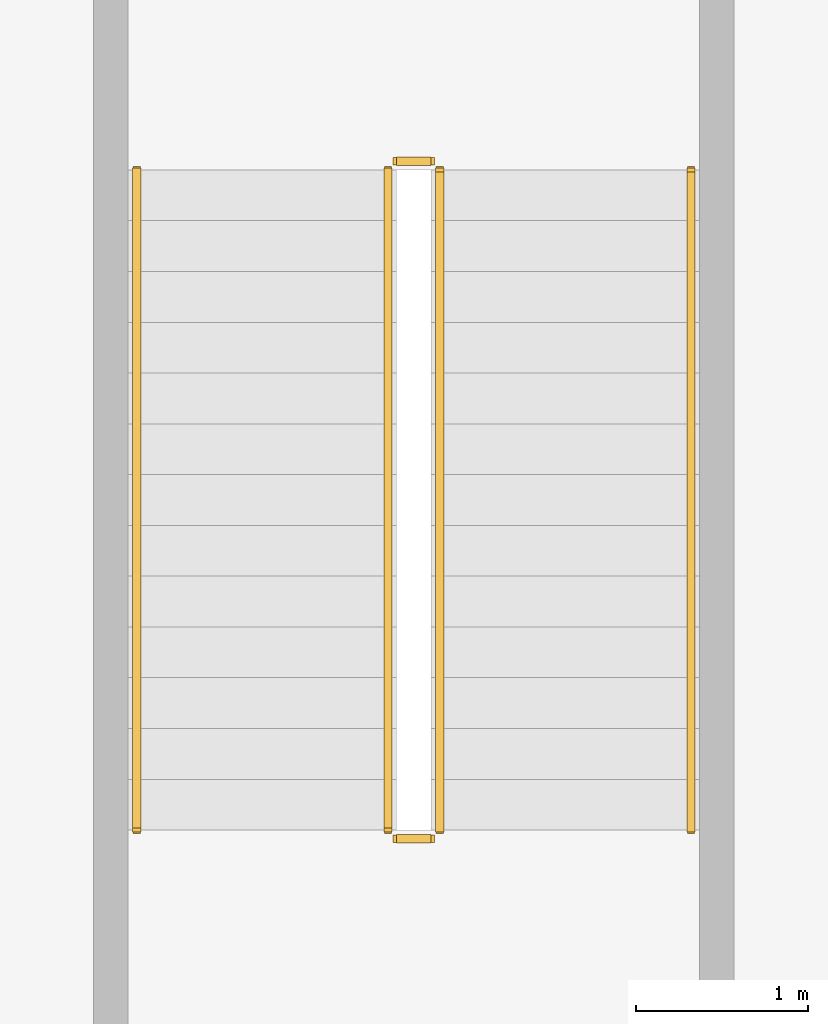
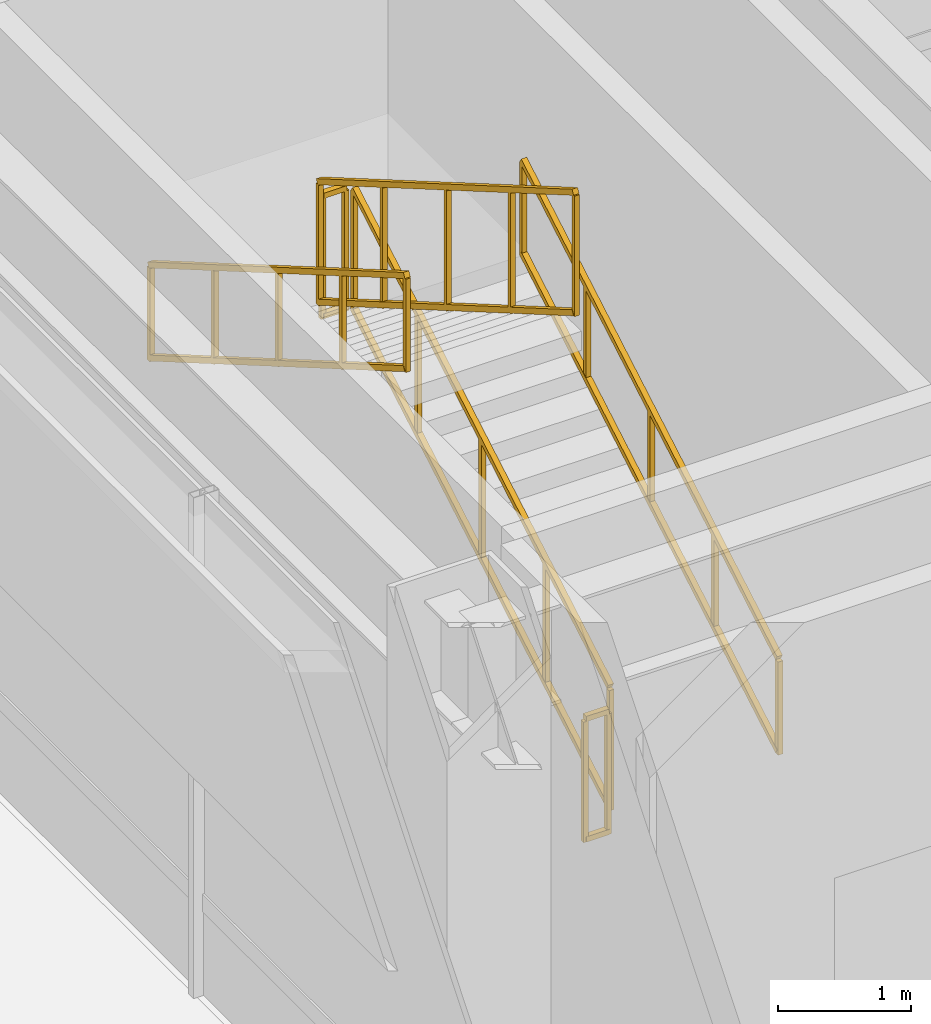
# One storey, part 36 of 37: 6 railings.
"""IFC4 building model written with IfcOpenShell, lengths in metres."""

from ifc_helpers import new_model, si_unit, direction, frame, origin, origin_2d, place, context, subcontext, project, spatial, rectangle, extrude, material, type_object, element, save


model = new_model("IFC4")

# Units and contexts
model_context = context("Model", 3, precision=1e-05, world=origin(), true_north=direction((0.0, 1.0)))
body_context = subcontext(model_context, "Body", "Model", "MODEL_VIEW")
ifc_project = project(units=[si_unit("LENGTHUNIT", "METRE"), si_unit("AREAUNIT", "SQUARE_METRE"), si_unit("VOLUMEUNIT", "CUBIC_METRE"), si_unit("PLANEANGLEUNIT", "RADIAN"), si_unit("MASSUNIT", "GRAM", prefix="KILO")], contexts=[model_context])

# Site, building, storey
site_placement = place(None, origin())
site = spatial("IfcSite", under=ifc_project, at=site_placement, CompositionType="ELEMENT")
building_placement = place(site_placement, origin())
building = spatial("IfcBuilding", under=site, at=building_placement, Name="Brelmoor Portico Tower", CompositionType="ELEMENT")
storey_placement = place(building_placement, origin())
storey = spatial("IfcBuildingStorey", under=building, at=storey_placement, Name="L00", CompositionType="ELEMENT", Elevation=0.0)

# Railings
ifc_material_1 = material(Name="Painted Tubular Steel Q235B", Category="steel")
railing_type_1 = type_object("IfcRailingType", Name="RL-STAIR-GUARD", PredefinedType="GUARDRAIL", material=ifc_material_1)
railing_1_placement = place(storey_placement, frame((17.389892578125, 20.85009765625, 0.17138671875)))
element("IfcRailing", 1, at=railing_1_placement, inside=storey, type_object=railing_type_1, Name="L00 ST-P2 stair guard 1", PredefinedType="GUARDRAIL", context=body_context, shape_type="SweptSolid", body=[
    extrude(rectangle(XDim=0.048095703125, YDim=0.048095703125, at=origin_2d()), frame((0.0, 0.0, 1.1259765625), z_axis=(0.0, 0.86461618451, 0.502432934314), x_axis=(-1.0, 0.0, 0.0)), (0.0, 0.0, 1.0), 4.435546875),
    extrude(rectangle(XDim=0.048095703125, YDim=0.048095703125, at=origin_2d()), frame((0.0, 0.0, 0.02392578125), z_axis=(0.0, 0.86461618451, 0.502432934314), x_axis=(-1.0, 0.0, 0.0)), (0.0, 0.0, 1.0), 4.435546875),
    extrude(rectangle(XDim=0.0419921875, YDim=0.0419921875, at=origin_2d()), origin(), (0.0, 0.0, 1.0), 1.101806640625),
    extrude(rectangle(XDim=0.0419921875, YDim=0.0419921875, at=origin_2d()), frame((0.0, 0.958740234375, 0.55712890625)), (0.0, 0.0, 1.0), 1.101806640625),
    extrude(rectangle(XDim=0.0419921875, YDim=0.0419921875, at=origin_2d()), frame((0.0, 1.91748046875, 1.1142578125)), (0.0, 0.0, 1.0), 1.101806640625),
    extrude(rectangle(XDim=0.0419921875, YDim=0.0419921875, at=origin_2d()), frame((0.0, 2.876220703125, 1.67138671875)), (0.0, 0.0, 1.0), 1.101806640625),
    extrude(rectangle(XDim=0.0419921875, YDim=0.0419921875, at=origin_2d()), frame((0.0, 3.8349609375, 2.228515625)), (0.0, 0.0, 1.0), 1.101806640625),
])
railing_2_placement = place(storey_placement, frame((17.340087890625, 24.735107421875, 2.39990234375)))
element("IfcRailing", 2, at=railing_2_placement, inside=storey, type_object=railing_type_1, Name="L00 ST-P2 stair guard 2", PredefinedType="GUARDRAIL", context=body_context, shape_type="SweptSolid", body=[
    extrude(rectangle(XDim=0.048095703125, YDim=0.048095703125, at=origin_2d()), frame((0.0, 0.0, 1.1259765625), z_axis=(-1.0, 0.0, 0.0), x_axis=(0.0, -1.0, 0.0)), (0.0, 0.0, 1.0), 0.2001953125),
    extrude(rectangle(XDim=0.048095703125, YDim=0.048095703125, at=origin_2d()), frame((0.0, 0.0, 0.02392578125), z_axis=(-1.0, 0.0, 0.0), x_axis=(0.0, -1.0, 0.0)), (0.0, 0.0, 1.0), 0.2001953125),
    extrude(rectangle(XDim=0.0419921875, YDim=0.0419921875, at=origin_2d()), origin(), (0.0, 0.0, 1.0), 1.101806640625),
    extrude(rectangle(XDim=0.0419921875, YDim=0.0419921875, at=origin_2d()), frame((-0.2001953125, 0.0, 0.0)), (0.0, 0.0, 1.0), 1.101806640625),
])
railing_3_placement = place(storey_placement, frame((17.090087890625, 24.68505859375, 2.571533203125)))
element("IfcRailing", 3, at=railing_3_placement, inside=storey, type_object=railing_type_1, Name="L00 ST-P2 stair guard 3", PredefinedType="GUARDRAIL", context=body_context, shape_type="SweptSolid", body=[
    extrude(rectangle(XDim=0.048095703125, YDim=0.048095703125, at=origin_2d()), frame((0.0, 0.0, 1.1259765625), z_axis=(0.0, -0.86461618451, 0.502432934314), x_axis=(1.0, 0.0, 0.0)), (0.0, 0.0, 1.0), 4.435546875),
    extrude(rectangle(XDim=0.048095703125, YDim=0.048095703125, at=origin_2d()), frame((0.0, 0.0, 0.02392578125), z_axis=(0.0, -0.86461618451, 0.502432934314), x_axis=(1.0, 0.0, 0.0)), (0.0, 0.0, 1.0), 4.435546875),
    extrude(rectangle(XDim=0.0419921875, YDim=0.0419921875, at=origin_2d()), origin(), (0.0, 0.0, 1.0), 1.101806640625),
    extrude(rectangle(XDim=0.0419921875, YDim=0.0419921875, at=origin_2d()), frame((0.0, -0.958740234375, 0.55712890625)), (0.0, 0.0, 1.0), 1.101806640625),
    extrude(rectangle(XDim=0.0419921875, YDim=0.0419921875, at=origin_2d()), frame((0.0, -1.91748046875, 1.1142578125)), (0.0, 0.0, 1.0), 1.101806640625),
    extrude(rectangle(XDim=0.0419921875, YDim=0.0419921875, at=origin_2d()), frame((0.0, -2.876220703125, 1.67138671875)), (0.0, 0.0, 1.0), 1.101806640625),
    extrude(rectangle(XDim=0.0419921875, YDim=0.0419921875, at=origin_2d()), frame((0.0, -3.8349609375, 2.228515625)), (0.0, 0.0, 1.0), 1.101806640625),
])
railing_4_placement = place(storey_placement, frame((17.340087890625, 20.800048828125, 0.0)))
element("IfcRailing", 4, at=railing_4_placement, inside=storey, type_object=railing_type_1, Name="L00 ST-P2 stair guard 4", PredefinedType="GUARDRAIL", context=body_context, shape_type="SweptSolid", body=[
    extrude(rectangle(XDim=0.048095703125, YDim=0.048095703125, at=origin_2d()), frame((0.0, 0.0, 1.1259765625), z_axis=(-1.0, 0.0, 0.0), x_axis=(0.0, -1.0, 0.0)), (0.0, 0.0, 1.0), 0.2001953125),
    extrude(rectangle(XDim=0.048095703125, YDim=0.048095703125, at=origin_2d()), frame((0.0, 0.0, 0.02392578125), z_axis=(-1.0, 0.0, 0.0), x_axis=(0.0, -1.0, 0.0)), (0.0, 0.0, 1.0), 0.2001953125),
    extrude(rectangle(XDim=0.0419921875, YDim=0.0419921875, at=origin_2d()), origin(), (0.0, 0.0, 1.0), 1.101806640625),
    extrude(rectangle(XDim=0.0419921875, YDim=0.0419921875, at=origin_2d()), frame((-0.2001953125, 0.0, 0.0)), (0.0, 0.0, 1.0), 1.101806640625),
])
ifc_material_2 = material(Name="Brushed Stainless Steel 304", Category="steel")
railing_type_2 = type_object("IfcRailingType", Name="RL-STAIR-HANDRAIL", PredefinedType="HANDRAIL", material=ifc_material_2)
railing_5_placement = place(storey_placement, frame((18.85009765625, 20.85009765625, 0.17138671875)))
element("IfcRailing", 5, at=railing_5_placement, inside=storey, type_object=railing_type_2, Name="L00 ST-P2 stair handrail 1", PredefinedType="HANDRAIL", context=body_context, shape_type="SweptSolid", body=[
    extrude(rectangle(XDim=0.048095703125, YDim=0.048095703125, at=origin_2d()), frame((0.0, 0.0, 0.8759765625), z_axis=(0.0, 0.86461618451, 0.502432934314), x_axis=(-1.0, 0.0, 0.0)), (0.0, 0.0, 1.0), 4.435546875),
    extrude(rectangle(XDim=0.048095703125, YDim=0.048095703125, at=origin_2d()), frame((0.0, 0.0, 0.02392578125), z_axis=(0.0, 0.86461618451, 0.502432934314), x_axis=(-1.0, 0.0, 0.0)), (0.0, 0.0, 1.0), 4.435546875),
    extrude(rectangle(XDim=0.0419921875, YDim=0.0419921875, at=origin_2d()), origin(), (0.0, 0.0, 1.0), 0.851806640625),
    extrude(rectangle(XDim=0.0419921875, YDim=0.0419921875, at=origin_2d()), frame((0.0, 0.958740234375, 0.55712890625)), (0.0, 0.0, 1.0), 0.851806640625),
    extrude(rectangle(XDim=0.0419921875, YDim=0.0419921875, at=origin_2d()), frame((0.0, 1.91748046875, 1.1142578125)), (0.0, 0.0, 1.0), 0.851806640625),
    extrude(rectangle(XDim=0.0419921875, YDim=0.0419921875, at=origin_2d()), frame((0.0, 2.876220703125, 1.67138671875)), (0.0, 0.0, 1.0), 0.851806640625),
    extrude(rectangle(XDim=0.0419921875, YDim=0.0419921875, at=origin_2d()), frame((0.0, 3.8349609375, 2.228515625)), (0.0, 0.0, 1.0), 0.851806640625),
])
railing_6_placement = place(storey_placement, frame((15.6298828125, 24.68505859375, 2.571533203125)))
element("IfcRailing", 6, at=railing_6_placement, inside=storey, type_object=railing_type_2, Name="L00 ST-P2 stair handrail 2", PredefinedType="HANDRAIL", context=body_context, shape_type="SweptSolid", body=[
    extrude(rectangle(XDim=0.048095703125, YDim=0.048095703125, at=origin_2d()), frame((0.0, 0.0, 0.8759765625), z_axis=(0.0, -0.86461618451, 0.502432934314), x_axis=(1.0, 0.0, 0.0)), (0.0, 0.0, 1.0), 4.435546875),
    extrude(rectangle(XDim=0.048095703125, YDim=0.048095703125, at=origin_2d()), frame((0.0, 0.0, 0.02392578125), z_axis=(0.0, -0.86461618451, 0.502432934314), x_axis=(1.0, 0.0, 0.0)), (0.0, 0.0, 1.0), 4.435546875),
    extrude(rectangle(XDim=0.0419921875, YDim=0.0419921875, at=origin_2d()), origin(), (0.0, 0.0, 1.0), 0.851806640625),
    extrude(rectangle(XDim=0.0419921875, YDim=0.0419921875, at=origin_2d()), frame((0.0, -0.958740234375, 0.55712890625)), (0.0, 0.0, 1.0), 0.851806640625),
    extrude(rectangle(XDim=0.0419921875, YDim=0.0419921875, at=origin_2d()), frame((0.0, -1.91748046875, 1.1142578125)), (0.0, 0.0, 1.0), 0.851806640625),
    extrude(rectangle(XDim=0.0419921875, YDim=0.0419921875, at=origin_2d()), frame((0.0, -2.876220703125, 1.67138671875)), (0.0, 0.0, 1.0), 0.851806640625),
    extrude(rectangle(XDim=0.0419921875, YDim=0.0419921875, at=origin_2d()), frame((0.0, -3.8349609375, 2.228515625)), (0.0, 0.0, 1.0), 0.851806640625),
])

save(model, "model.ifc")
